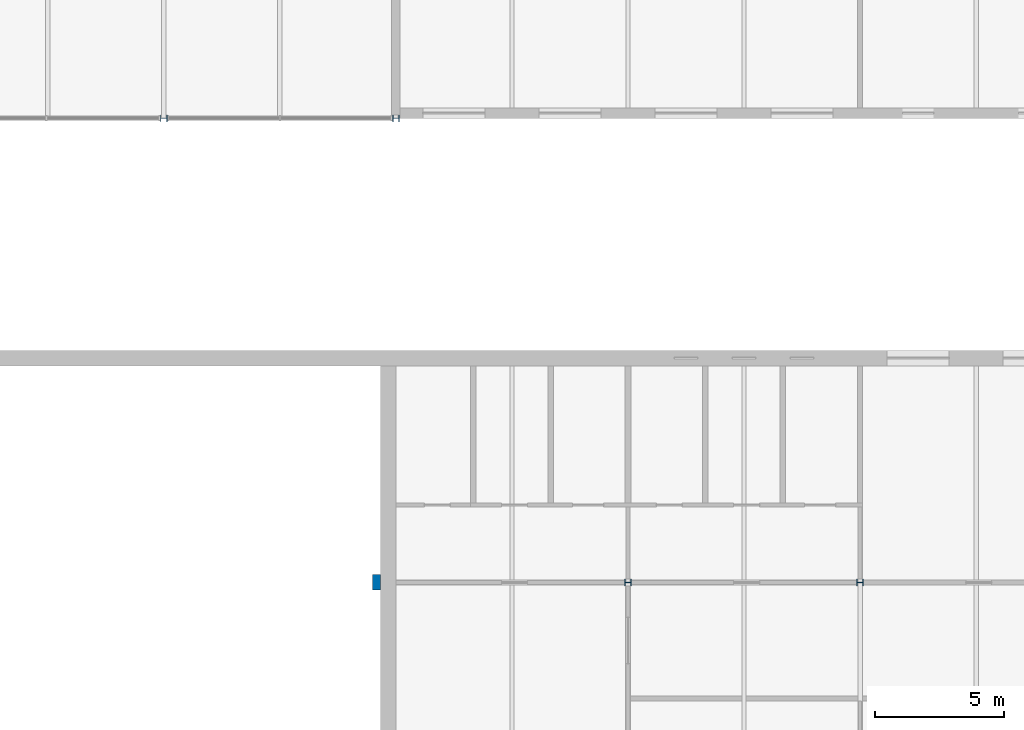
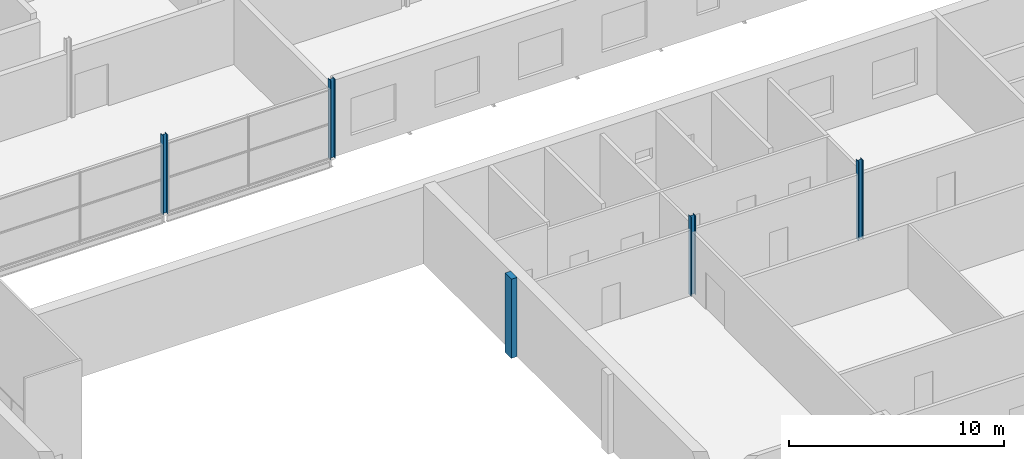
# One storey, part 24 of 138: 5 columns.
"""IFC4 building model written with IfcOpenShell, lengths in metres."""

from ifc_helpers import new_model, si_unit, direction, frame, origin, origin_2d, place, context, subcontext, project, spatial, rectangle, i_section, extrude, material, material_profile, profile_set, type_object, element, save


model = new_model("IFC4")

# Units and contexts
model_context = context("Model", 3, precision=1e-05, world=origin(), true_north=direction((0.0, 1.0)))
body_context = subcontext(model_context, "Body", "Model", "MODEL_VIEW")
ifc_project = project(units=[si_unit("LENGTHUNIT", "METRE"), si_unit("AREAUNIT", "SQUARE_METRE"), si_unit("VOLUMEUNIT", "CUBIC_METRE"), si_unit("PLANEANGLEUNIT", "RADIAN"), si_unit("MASSUNIT", "GRAM", prefix="KILO")], contexts=[model_context])

# Site, building, storey
site_placement = place(None, origin())
site = spatial("IfcSite", under=ifc_project, at=site_placement, CompositionType="ELEMENT")
building_placement = place(site_placement, origin())
building = spatial("IfcBuilding", under=site, at=building_placement, Name="Corbel Yard City Hall", CompositionType="ELEMENT")
storey_placement = place(building_placement, frame((0.0, 0.0, 10.5)))
storey = spatial("IfcBuildingStorey", under=building, at=storey_placement, Name="L02", CompositionType="ELEMENT", Elevation=10.5)

# Columns
ifc_material_1 = material(Name="Concrete N50 (50 MPa)", Category="concrete")
ifc_material_profile_1 = material_profile(ifc_material_1, rectangle(XDim=0.60009765625, YDim=0.300048828125, at=origin_2d()), Name="600x300")
ifc_profile_set_1 = profile_set([ifc_material_profile_1], Name="Concrete N50 (50 MPa)")
column_type_1 = type_object("IfcColumnType", Name="Chamber pilaster RC 600X300", PredefinedType="PILASTER", material=ifc_profile_set_1)
column_placement = place(storey_placement, frame((143.25, 72.0, 0.0), z_axis=(0.0, 0.0, 1.0), x_axis=(0.0, 1.0, 0.0)))
element("IfcColumn", 1, at=column_placement, inside=storey, type_object=column_type_1, Name="Chamber pilaster RC 600X300 RC2 L02", PredefinedType="PILASTER", context=body_context, shape_type="SweptSolid", body=[
    extrude(rectangle(XDim=0.60009765625, YDim=0.300048828125, at=origin_2d()), origin(), (0.0, 0.0, 1.0), 4.5),
])
ifc_material_2 = material(Name="Steel Grade 300 (300 MPa yield)", Category="steel")
ifc_material_profile_2 = material_profile(ifc_material_2, i_section(OverallWidth=0.25390625, OverallDepth=0.25390625, WebThickness=0.008544921875, FlangeThickness=0.01416015625, at=origin_2d()), Name="250UC72.9")
ifc_profile_set_2 = profile_set([ifc_material_profile_2], Name="Steel Grade 300 (300 MPa yield)")
column_type_2 = type_object("IfcColumnType", Name="Column 250UC72.9", PredefinedType="COLUMN", material=ifc_profile_set_2)
for number, where, z_axis, x_axis, name in (
    (2, (135.0, 90.0, 0.0), (0.0, 0.0, 1.0), (0.0, 1.0, 0.0), "Column 250UC72.9 K/16 L02"),
    (3, (144.0, 90.0, 0.0), (0.0, 0.0, 1.0), (0.0, 1.0, 0.0), "Column 250UC72.9 K/17 L02"),
):
    element("IfcColumn", number, at=place(storey_placement, frame(where, z_axis=z_axis, x_axis=x_axis)), inside=storey, type_object=column_type_2, Name=name, PredefinedType="COLUMN", context=body_context, shape_type="SweptSolid", body=[
        extrude(i_section(OverallWidth=0.25390625, OverallDepth=0.25390625, WebThickness=0.008544921875, FlangeThickness=0.01416015625, at=origin_2d()), origin(), (0.0, 0.0, 1.0), 4.5),
    ])
ifc_material_profile_3 = material_profile(ifc_material_2, i_section(OverallWidth=0.256103515625, OverallDepth=0.260009765625, WebThickness=0.010498046875, FlangeThickness=0.017333984375, at=origin_2d()), Name="250UC89.5")
ifc_profile_set_3 = profile_set([ifc_material_profile_3], Name="Steel Grade 300 (300 MPa yield)")
column_type_3 = type_object("IfcColumnType", Name="Column 250UC89.5", PredefinedType="COLUMN", material=ifc_profile_set_3)
for number, where, z_axis, x_axis, name in (
    (4, (153.0, 72.0, 0.0), (0.0, 0.0, 1.0), (0.0, 1.0, 0.0), "Column 250UC89.5 I/18 L02"),
    (5, (162.0, 72.0, 0.0), (0.0, 0.0, 1.0), (0.0, 1.0, 0.0), "Column 250UC89.5 I/19 L02"),
):
    element("IfcColumn", number, at=place(storey_placement, frame(where, z_axis=z_axis, x_axis=x_axis)), inside=storey, type_object=column_type_3, Name=name, PredefinedType="COLUMN", context=body_context, shape_type="SweptSolid", body=[
        extrude(i_section(OverallWidth=0.256103515625, OverallDepth=0.260009765625, WebThickness=0.010498046875, FlangeThickness=0.017333984375, at=origin_2d()), origin(), (0.0, 0.0, 1.0), 4.5),
    ])

save(model, "model.ifc")
